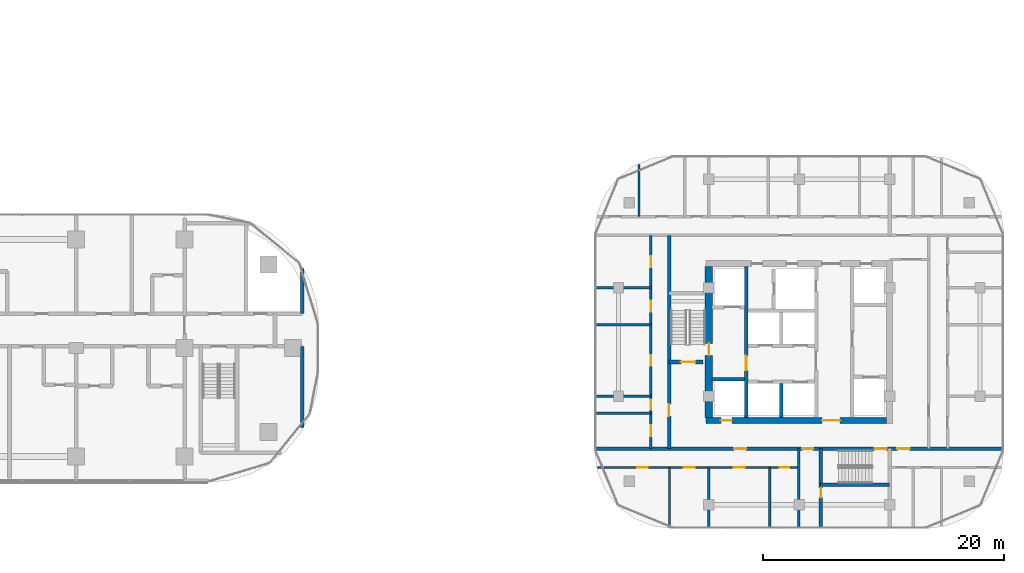
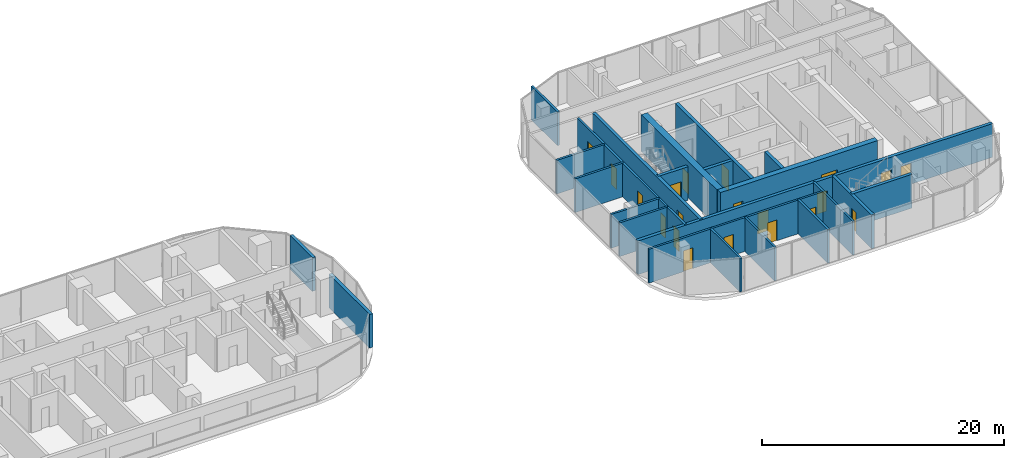
# One storey, part 21 of 32: 23 walls, 20 doors, 20 openings.
"""IFC4 building model written with IfcOpenShell, lengths in metres."""

from ifc_helpers import new_model, si_unit, direction, frame, frame_2d, origin, place, context, subcontext, project, spatial, rectangle, extrude, material, layer, layer_set, type_object, element, fill, save


model = new_model("IFC4")

# Units and contexts
model_context = context("Model", 3, precision=1e-05, world=origin(), true_north=direction((0.0, 1.0)))
body_context = subcontext(model_context, "Body", "Model", "MODEL_VIEW")
ifc_project = project(units=[si_unit("LENGTHUNIT", "METRE"), si_unit("AREAUNIT", "SQUARE_METRE"), si_unit("VOLUMEUNIT", "CUBIC_METRE"), si_unit("PLANEANGLEUNIT", "RADIAN"), si_unit("MASSUNIT", "GRAM", prefix="KILO")], contexts=[model_context])

# Site, building, storey
site_placement = place(None, origin())
site = spatial("IfcSite", under=ifc_project, at=site_placement, CompositionType="ELEMENT")
building_placement = place(site_placement, origin())
building = spatial("IfcBuilding", under=site, at=building_placement, Name="Ogive Portal Towers", CompositionType="ELEMENT")
storey_placement = place(building_placement, frame((0.0, 0.0, 59.39990234375)))
storey = spatial("IfcBuildingStorey", under=building, at=storey_placement, Name="L13", CompositionType="ELEMENT", Elevation=59.39990234375)

# Wall, opening, door
ifc_material_1 = material(Name="Concrete C60/75", Category="concrete")
ifc_layer_1 = layer(ifc_material_1, 0.300048828125)
ifc_layer_set_1 = layer_set([ifc_layer_1], Name="CORE WALL 300 C60")
wall_type_1 = type_object("IfcWallType", Name="CORE WALL 300 C60", PredefinedType="SHEAR", material=ifc_layer_set_1)
wall_1_placement = place(storey_placement, frame((132.10009765625, 24.75, 0.0), z_axis=(0.0, 0.0, 1.0), x_axis=(0.0, 1.0, 0.0)))
wall_1 = element("IfcWall", 1, at=wall_1_placement, inside=storey, type_object=wall_type_1, Name="Tower B core wall BX1 L13", PredefinedType="SHEAR", context=body_context, shape_type="SweptSolid", body=[
    extrude(rectangle(XDim=12.5, YDim=0.300048828125, at=frame_2d((6.25, 0.0))), origin(), (0.0, 0.0, 1.0), 3.7001953125),
])
opening_1_placement = place(wall_1_placement, frame((3.89990234375, 0.0, 0.0)))
opening_1 = element("IfcOpeningElement", 2, at=opening_1_placement, cuts=wall_1, Name="Opening B03-041", PredefinedType="OPENING", context=body_context, shape_type="SweptSolid", body=[
    extrude(rectangle(XDim=1.199951171875, YDim=2.10009765625, at=frame_2d((0.60009765625, 1.050048828125))), frame((0.0, 0.16015625, 0.0), z_axis=(0.0, -1.0, 0.0), x_axis=(1.0, 0.0, 0.0)), (0.0, 0.0, 1.0), 0.320068359375),
])
ifc_material_2 = material(Name="Steel fire door", Category="steel")
door_type_1 = type_object("IfcDoorType", Name="DT-SWING-1200x2100-FD90S", OperationType="SINGLE_SWING_LEFT", PredefinedType="DOOR", material=ifc_material_2)
door_1_placement = place(opening_1_placement, origin())
door_1 = element("IfcDoor", 3, at=door_1_placement, inside=storey, type_object=door_type_1, Name="Door B03-041", OperationType="SINGLE_SWING_LEFT", OverallHeight=2.10009765625, OverallWidth=1.199951171875, PredefinedType="DOOR", context=body_context, shape_type="SweptSolid", body=[
    extrude(rectangle(XDim=1.199951171875, YDim=2.10009765625, at=frame_2d((0.60009765625, 1.050048828125))), frame((0.0, 0.02490234375, 0.0), z_axis=(0.0, -1.0, 0.0), x_axis=(1.0, 0.0, 0.0)), (0.0, 0.0, 1.0), 0.050048828125),
])
fill(opening_1, door_1)

# Walls
wall_2_placement = place(storey_placement, frame((135.0, 24.75, 0.0), z_axis=(0.0, 0.0, 1.0), x_axis=(0.0, 1.0, 0.0)))
element("IfcWall", 4, at=wall_2_placement, inside=storey, type_object=wall_type_1, Name="Tower B core wall BX4 L13", PredefinedType="SHEAR", context=body_context, shape_type="SweptSolid", body=[
    extrude(rectangle(XDim=2.800048828125, YDim=0.300048828125, at=frame_2d((1.39990234375, 0.0))), origin(), (0.0, 0.0, 1.0), 3.7001953125),
])
wall_3_placement = place(storey_placement, frame((129.25, 27.89990234375, 0.0), z_axis=(0.0, 0.0, 1.0), x_axis=(1.0, 0.0, 0.0)))
element("IfcWall", 5, at=wall_3_placement, inside=storey, type_object=wall_type_1, Name="Tower B core wall BY4 L13", PredefinedType="SHEAR", context=body_context, shape_type="SweptSolid", body=[
    extrude(rectangle(XDim=2.699951171875, YDim=0.300048828125, at=frame_2d((1.35009765625, 0.0))), origin(), (0.0, 0.0, 1.0), 3.7001953125),
])

# Wall, openings, doors
ifc_layer_2 = layer(ifc_material_1, 0.5)
ifc_layer_set_2 = layer_set([ifc_layer_2], Name="CORE WALL 500 C60")
wall_type_2 = type_object("IfcWallType", Name="CORE WALL 500 C60", PredefinedType="SHEAR", material=ifc_layer_set_2)
wall_4_placement = place(storey_placement, frame((128.75, 24.5, 0.0), z_axis=(0.0, 0.0, 1.0), x_axis=(1.0, 0.0, 0.0)))
wall_4 = element("IfcWall", 6, at=wall_4_placement, inside=storey, type_object=wall_type_2, Name="Tower B core wall BS L13", PredefinedType="SHEAR", context=body_context, shape_type="SweptSolid", body=[
    extrude(rectangle(XDim=15.0, YDim=0.5, at=frame_2d((7.5, 0.0))), origin(), (0.0, 0.0, 1.0), 3.7001953125),
])
opening_2_placement = place(wall_4_placement, frame((9.64990234375, 0.0, 0.0)))
opening_2 = element("IfcOpeningElement", 7, at=opening_2_placement, cuts=wall_4, Name="Opening B03-044", PredefinedType="OPENING", context=body_context, shape_type="SweptSolid", body=[
    extrude(rectangle(XDim=1.5, YDim=2.10009765625, at=frame_2d((0.75, 1.050048828125))), frame((0.0, 0.260009765625, 0.0), z_axis=(0.0, -1.0, 0.0), x_axis=(1.0, 0.0, 0.0)), (0.0, 0.0, 1.0), 0.52001953125),
])
opening_3_placement = place(wall_4_placement, frame((1.25, 0.0, 0.0)))
opening_3 = element("IfcOpeningElement", 8, at=opening_3_placement, cuts=wall_4, Name="Opening B03-046", PredefinedType="OPENING", context=body_context, shape_type="SweptSolid", body=[
    extrude(rectangle(XDim=0.89990234375, YDim=2.10009765625, at=frame_2d((0.449951171875, 1.050048828125))), frame((0.0, 0.260009765625, 0.0), z_axis=(0.0, -1.0, 0.0), x_axis=(1.0, 0.0, 0.0)), (0.0, 0.0, 1.0), 0.52001953125),
])
door_type_2 = type_object("IfcDoorType", Name="DT-SWING-1500x2100-FD90S", OperationType="SINGLE_SWING_LEFT", PredefinedType="DOOR", material=ifc_material_2)
door_2_placement = place(opening_2_placement, origin())
door_2 = element("IfcDoor", 9, at=door_2_placement, inside=storey, type_object=door_type_2, Name="Door B03-044", OperationType="SINGLE_SWING_LEFT", OverallHeight=2.10009765625, OverallWidth=1.5, PredefinedType="DOOR", context=body_context, shape_type="SweptSolid", body=[
    extrude(rectangle(XDim=1.5, YDim=2.10009765625, at=frame_2d((0.75, 1.050048828125))), frame((0.0, 0.02490234375, 0.0), z_axis=(0.0, -1.0, 0.0), x_axis=(1.0, 0.0, 0.0)), (0.0, 0.0, 1.0), 0.050048828125),
])
fill(opening_2, door_2)
door_type_3 = type_object("IfcDoorType", Name="DT-SWING-900x2100-FD90S", OperationType="SINGLE_SWING_LEFT", PredefinedType="DOOR", material=ifc_material_2)
door_3_placement = place(opening_3_placement, origin())
door_3 = element("IfcDoor", 10, at=door_3_placement, inside=storey, type_object=door_type_3, Name="Riser access door B03-046", OperationType="SINGLE_SWING_LEFT", OverallHeight=2.10009765625, OverallWidth=0.89990234375, PredefinedType="DOOR", context=body_context, shape_type="SweptSolid", body=[
    extrude(rectangle(XDim=0.89990234375, YDim=2.10009765625, at=frame_2d((0.449951171875, 1.050048828125))), frame((0.0, 0.02490234375, 0.0), z_axis=(0.0, -1.0, 0.0), x_axis=(1.0, 0.0, 0.0)), (0.0, 0.0, 1.0), 0.050048828125),
])
fill(opening_3, door_3)

# Wall, opening, door
ifc_layer_3 = layer(ifc_material_1, 0.60009765625)
ifc_layer_set_3 = layer_set([ifc_layer_3], Name="CORE WALL 600 C60")
wall_type_3 = type_object("IfcWallType", Name="CORE WALL 600 C60", PredefinedType="SHEAR", material=ifc_layer_set_3)
wall_5_placement = place(storey_placement, frame((129.0, 24.75, 0.0), z_axis=(0.0, 0.0, 1.0), x_axis=(0.0, 1.0, 0.0)))
wall_5 = element("IfcWall", 11, at=wall_5_placement, inside=storey, type_object=wall_type_3, Name="Tower B core wall BW L13", PredefinedType="SHEAR", context=body_context, shape_type="SweptSolid", body=[
    extrude(rectangle(XDim=12.5, YDim=0.60009765625, at=frame_2d((6.25, 0.0))), origin(), (0.0, 0.0, 1.0), 3.7001953125),
])
opening_4_placement = place(wall_5_placement, frame((5.14990234375, 0.0, 0.0)))
opening_4 = element("IfcOpeningElement", 12, at=opening_4_placement, cuts=wall_5, Name="Opening B03-043", PredefinedType="OPENING", context=body_context, shape_type="SweptSolid", body=[
    extrude(rectangle(XDim=1.0, YDim=2.10009765625, at=frame_2d((0.5, 1.050048828125))), frame((0.0, 0.31005859375, 0.0), z_axis=(0.0, -1.0, 0.0), x_axis=(1.0, 0.0, 0.0)), (0.0, 0.0, 1.0), 0.6201171875),
])
door_type_4 = type_object("IfcDoorType", Name="DT-SWING-1000x2100-FD90S", OperationType="SINGLE_SWING_LEFT", PredefinedType="DOOR", material=ifc_material_2)
door_4_placement = place(opening_4_placement, origin())
door_4 = element("IfcDoor", 13, at=door_4_placement, inside=storey, type_object=door_type_4, Name="Door B03-043", OperationType="SINGLE_SWING_RIGHT", OverallHeight=2.10009765625, OverallWidth=1.0, PredefinedType="DOOR", context=body_context, shape_type="SweptSolid", body=[
    extrude(rectangle(XDim=1.0, YDim=2.10009765625, at=frame_2d((0.5, 1.050048828125))), frame((0.0, 0.02490234375, 0.0), z_axis=(0.0, -1.0, 0.0), x_axis=(1.0, 0.0, 0.0)), (0.0, 0.0, 1.0), 0.050048828125),
])
fill(opening_4, door_4)

# Wall
ifc_material_3 = material(Name="Concrete C50/60", Category="concrete")
ifc_layer_4 = layer(ifc_material_3, 0.300048828125)
ifc_layer_set_4 = layer_set([ifc_layer_4], Name="STAIR WALL 300 C50")
wall_type_4 = type_object("IfcWallType", Name="STAIR WALL 300 C50", PredefinedType="SHEAR", material=ifc_layer_set_4)
wall_6_placement = place(storey_placement, frame((138.25, 19.14990234375, 0.0), z_axis=(0.0, 0.0, 1.0), x_axis=(1.0, 0.0, 0.0)))
element("IfcWall", 14, at=wall_6_placement, inside=storey, type_object=wall_type_4, Name="Stair wall ST-B2 L13", PredefinedType="SHEAR", context=body_context, shape_type="SweptSolid", body=[
    extrude(rectangle(XDim=5.75, YDim=0.300048828125, at=frame_2d((2.875, 0.0))), origin(), (0.0, 0.0, 1.0), 3.400146484375),
])

# Wall, openings, doors
wall_7_placement = place(storey_placement, frame((119.580078125, 22.14990234375, 0.0), z_axis=(0.0, 0.0, 1.0), x_axis=(1.0, 0.0, 0.0)))
wall_7 = element("IfcWall", 15, at=wall_7_placement, inside=storey, type_object=wall_type_4, Name="Stair wall ST-B2 L13", PredefinedType="SHEAR", context=body_context, shape_type="SweptSolid", body=[
    extrude(rectangle(XDim=33.83984375, YDim=0.300048828125, at=frame_2d((16.919921875, 0.0))), origin(), (0.0, 0.0, 1.0), 3.400146484375),
])
opening_5_placement = place(wall_7_placement, frame((23.169921875, 0.0, 0.0)))
opening_5 = element("IfcOpeningElement", 16, at=opening_5_placement, cuts=wall_7, Name="Opening B03-003", PredefinedType="OPENING", context=body_context, shape_type="SweptSolid", body=[
    extrude(rectangle(XDim=1.0, YDim=2.10009765625, at=frame_2d((0.5, 1.050048828125))), frame((0.0, 0.16015625, 0.0), z_axis=(0.0, -1.0, 0.0), x_axis=(1.0, 0.0, 0.0)), (0.0, 0.0, 1.0), 0.320068359375),
])
opening_6_placement = place(wall_7_placement, frame((11.52001953125, 0.0, 0.0)))
opening_6 = element("IfcOpeningElement", 17, at=opening_6_placement, cuts=wall_7, Name="Opening B03-017", PredefinedType="OPENING", context=body_context, shape_type="SweptSolid", body=[
    extrude(rectangle(XDim=1.0, YDim=2.10009765625, at=frame_2d((0.5, 1.050048828125))), frame((0.0, 0.16015625, 0.0), z_axis=(0.0, -1.0, 0.0), x_axis=(1.0, 0.0, 0.0)), (0.0, 0.0, 1.0), 0.320068359375),
])
opening_7_placement = place(wall_7_placement, frame((25.070068359375, 0.0, 0.0)))
opening_7 = element("IfcOpeningElement", 18, at=opening_7_placement, cuts=wall_7, Name="Opening B03-022", PredefinedType="OPENING", context=body_context, shape_type="SweptSolid", body=[
    extrude(rectangle(XDim=1.0, YDim=2.10009765625, at=frame_2d((0.5, 1.050048828125))), frame((0.0, 0.16015625, 0.0), z_axis=(0.0, -1.0, 0.0), x_axis=(1.0, 0.0, 0.0)), (0.0, 0.0, 1.0), 0.320068359375),
])
opening_8_placement = place(wall_7_placement, frame((17.169921875, 0.0, 0.0)))
opening_8 = element("IfcOpeningElement", 19, at=opening_8_placement, cuts=wall_7, Name="Opening B03-026", PredefinedType="OPENING", context=body_context, shape_type="SweptSolid", body=[
    extrude(rectangle(XDim=0.89990234375, YDim=2.10009765625, at=frame_2d((0.449951171875, 1.050048828125))), frame((0.0, 0.16015625, 0.0), z_axis=(0.0, -1.0, 0.0), x_axis=(1.0, 0.0, 0.0)), (0.0, 0.0, 1.0), 0.320068359375),
])
door_5_placement = place(opening_5_placement, origin())
door_5 = element("IfcDoor", 20, at=door_5_placement, inside=storey, type_object=door_type_4, Name="Door B03-003", OperationType="SINGLE_SWING_LEFT", OverallHeight=2.10009765625, OverallWidth=1.0, PredefinedType="DOOR", context=body_context, shape_type="SweptSolid", body=[
    extrude(rectangle(XDim=1.0, YDim=2.10009765625, at=frame_2d((0.5, 1.050048828125))), frame((0.0, 0.02490234375, 0.0), z_axis=(0.0, -1.0, 0.0), x_axis=(1.0, 0.0, 0.0)), (0.0, 0.0, 1.0), 0.050048828125),
])
fill(opening_5, door_5)
door_6_placement = place(opening_6_placement, origin())
door_6 = element("IfcDoor", 21, at=door_6_placement, inside=storey, type_object=door_type_4, Name="Door B03-017", OperationType="SINGLE_SWING_LEFT", OverallHeight=2.10009765625, OverallWidth=1.0, PredefinedType="DOOR", context=body_context, shape_type="SweptSolid", body=[
    extrude(rectangle(XDim=1.0, YDim=2.10009765625, at=frame_2d((0.5, 1.050048828125))), frame((0.0, 0.02490234375, 0.0), z_axis=(0.0, -1.0, 0.0), x_axis=(1.0, 0.0, 0.0)), (0.0, 0.0, 1.0), 0.050048828125),
])
fill(opening_6, door_6)
door_7_placement = place(opening_7_placement, origin())
door_7 = element("IfcDoor", 22, at=door_7_placement, inside=storey, type_object=door_type_4, Name="Door B03-022", OperationType="SINGLE_SWING_RIGHT", OverallHeight=2.10009765625, OverallWidth=1.0, PredefinedType="DOOR", context=body_context, shape_type="SweptSolid", body=[
    extrude(rectangle(XDim=1.0, YDim=2.10009765625, at=frame_2d((0.5, 1.050048828125))), frame((0.0, 0.02490234375, 0.0), z_axis=(0.0, -1.0, 0.0), x_axis=(1.0, 0.0, 0.0)), (0.0, 0.0, 1.0), 0.050048828125),
])
fill(opening_7, door_7)
door_8_placement = place(opening_8_placement, origin())
door_8 = element("IfcDoor", 23, at=door_8_placement, inside=storey, type_object=door_type_3, Name="Door B03-026", OperationType="SINGLE_SWING_RIGHT", OverallHeight=2.10009765625, OverallWidth=0.89990234375, PredefinedType="DOOR", context=body_context, shape_type="SweptSolid", body=[
    extrude(rectangle(XDim=0.89990234375, YDim=2.10009765625, at=frame_2d((0.449951171875, 1.050048828125))), frame((0.0, 0.02490234375, 0.0), z_axis=(0.0, -1.0, 0.0), x_axis=(1.0, 0.0, 0.0)), (0.0, 0.0, 1.0), 0.050048828125),
])
fill(opening_8, door_8)

# Wall, opening, door
wall_8_placement = place(storey_placement, frame((125.699951171875, 29.35009765625, 0.0), z_axis=(0.0, 0.0, 1.0), x_axis=(1.0, 0.0, 0.0)))
wall_8 = element("IfcWall", 24, at=wall_8_placement, inside=storey, type_object=wall_type_4, Name="Stair wall ST-B1 L13", PredefinedType="SHEAR", context=body_context, shape_type="SweptSolid", body=[
    extrude(rectangle(XDim=2.830078125, YDim=0.300048828125, at=frame_2d((1.4150390625, 0.0))), origin(), (0.0, 0.0, 1.0), 3.400146484375),
])
opening_9_placement = place(wall_8_placement, frame((0.97509765625, 0.0, 0.0)))
opening_9 = element("IfcOpeningElement", 25, at=opening_9_placement, cuts=wall_8, Name="Opening B03-002", PredefinedType="OPENING", context=body_context, shape_type="SweptSolid", body=[
    extrude(rectangle(XDim=1.199951171875, YDim=2.10009765625, at=frame_2d((0.60009765625, 1.050048828125))), frame((0.0, 0.16015625, 0.0), z_axis=(0.0, -1.0, 0.0), x_axis=(1.0, 0.0, 0.0)), (0.0, 0.0, 1.0), 0.320068359375),
])
door_9_placement = place(opening_9_placement, origin())
door_9 = element("IfcDoor", 26, at=door_9_placement, inside=storey, type_object=door_type_1, Name="Door B03-002", OperationType="SINGLE_SWING_RIGHT", OverallHeight=2.10009765625, OverallWidth=1.199951171875, PredefinedType="DOOR", context=body_context, shape_type="SweptSolid", body=[
    extrude(rectangle(XDim=1.199951171875, YDim=2.10009765625, at=frame_2d((0.60009765625, 1.050048828125))), frame((0.0, 0.02490234375, 0.0), z_axis=(0.0, -1.0, 0.0), x_axis=(1.0, 0.0, 0.0)), (0.0, 0.0, 1.0), 0.050048828125),
])
fill(opening_9, door_9)

wall_9_placement = place(storey_placement, frame((125.699951171875, 22.14990234375, 0.0), z_axis=(0.0, 0.0, 1.0), x_axis=(0.0, 1.0, 0.0)))
wall_9 = element("IfcWall", 27, at=wall_9_placement, inside=storey, type_object=wall_type_4, Name="Stair wall ST-B1 L13", PredefinedType="SHEAR", context=body_context, shape_type="SweptSolid", body=[
    extrude(rectangle(XDim=17.7001953125, YDim=0.300048828125, at=frame_2d((8.85009765625, 0.0))), origin(), (0.0, 0.0, 1.0), 3.400146484375),
])
opening_10_placement = place(wall_9_placement, frame((2.699951171875, 0.0, 0.0)))
opening_10 = element("IfcOpeningElement", 28, at=opening_10_placement, cuts=wall_9, Name="Opening B03-028", PredefinedType="OPENING", context=body_context, shape_type="SweptSolid", body=[
    extrude(rectangle(XDim=1.0, YDim=2.10009765625, at=frame_2d((0.5, 1.050048828125))), frame((0.0, 0.16015625, 0.0), z_axis=(0.0, -1.0, 0.0), x_axis=(1.0, 0.0, 0.0)), (0.0, 0.0, 1.0), 0.320068359375),
])
door_10_placement = place(opening_10_placement, origin())
door_10 = element("IfcDoor", 29, at=door_10_placement, inside=storey, type_object=door_type_4, Name="Door B03-028", OperationType="SINGLE_SWING_RIGHT", OverallHeight=2.10009765625, OverallWidth=1.0, PredefinedType="DOOR", context=body_context, shape_type="SweptSolid", body=[
    extrude(rectangle(XDim=1.0, YDim=2.10009765625, at=frame_2d((0.5, 1.050048828125))), frame((0.0, 0.02490234375, 0.0), z_axis=(0.0, -1.0, 0.0), x_axis=(1.0, 0.0, 0.0)), (0.0, 0.0, 1.0), 0.050048828125),
])
fill(opening_10, door_10)

wall_10_placement = place(storey_placement, frame((138.300048828125, 15.580078125, 0.0), z_axis=(0.0, 0.0, 1.0), x_axis=(0.0, 1.0, 0.0)))
wall_10 = element("IfcWall", 30, at=wall_10_placement, inside=storey, type_object=wall_type_4, Name="Stair wall ST-B2 L13", PredefinedType="SHEAR", context=body_context, shape_type="SweptSolid", body=[
    extrude(rectangle(XDim=6.56982421875, YDim=0.300048828125, at=frame_2d((3.284912109375, 0.0))), origin(), (0.0, 0.0, 1.0), 3.400146484375),
])
opening_11_placement = place(wall_10_placement, frame((2.52001953125, 0.0, 0.0)))
opening_11 = element("IfcOpeningElement", 31, at=opening_11_placement, cuts=wall_10, Name="Opening B03-027", PredefinedType="OPENING", context=body_context, shape_type="SweptSolid", body=[
    extrude(rectangle(XDim=0.800048828125, YDim=2.10009765625, at=frame_2d((0.39990234375, 1.050048828125))), frame((0.0, 0.16015625, 0.0), z_axis=(0.0, -1.0, 0.0), x_axis=(1.0, 0.0, 0.0)), (0.0, 0.0, 1.0), 0.320068359375),
])
door_type_5 = type_object("IfcDoorType", Name="DT-SWING-800x2100-FD90S", OperationType="SINGLE_SWING_LEFT", PredefinedType="DOOR", material=ifc_material_2)
door_11_placement = place(opening_11_placement, origin())
door_11 = element("IfcDoor", 32, at=door_11_placement, inside=storey, type_object=door_type_5, Name="Door B03-027", OperationType="SINGLE_SWING_LEFT", OverallHeight=2.10009765625, OverallWidth=0.800048828125, PredefinedType="DOOR", context=body_context, shape_type="SweptSolid", body=[
    extrude(rectangle(XDim=0.800048828125, YDim=2.10009765625, at=frame_2d((0.39990234375, 1.050048828125))), frame((0.0, 0.02490234375, 0.0), z_axis=(0.0, -1.0, 0.0), x_axis=(1.0, 0.0, 0.0)), (0.0, 0.0, 1.0), 0.050048828125),
])
fill(opening_11, door_11)

# Wall, openings, doors
ifc_material_4 = material(Name="Gypsum board partition on steel studs", Category="steel")
ifc_layer_5 = layer(ifc_material_4, 0.199951171875)
ifc_layer_set_5 = layer_set([ifc_layer_5], Name="WT-PART-200-EI 60")
wall_type_5 = type_object("IfcWallType", Name="WT-PART-200-EI 60", PredefinedType="PARTITIONING", material=ifc_layer_set_5)
wall_11_placement = place(storey_placement, frame((119.76611328125, 20.590087890625, 0.0), z_axis=(0.0, 0.0, 1.0), x_axis=(1.0, 0.0, 0.0)))
wall_11 = element("IfcWall", 33, at=wall_11_placement, inside=storey, type_object=wall_type_5, Name="Wall L13:w002", PredefinedType="PARTITIONING", context=body_context, shape_type="SweptSolid", body=[
    extrude(rectangle(XDim=16.73388671875, YDim=0.199951171875, at=frame_2d((8.366943359375, 0.0))), origin(), (0.0, 0.0, 1.0), 3.400146484375),
])
opening_12_placement = place(wall_11_placement, frame((3.281982421875, 0.0, 0.0)))
opening_12 = element("IfcOpeningElement", 34, at=opening_12_placement, cuts=wall_11, Name="Opening B03-018", PredefinedType="OPENING", context=body_context, shape_type="SweptSolid", body=[
    extrude(rectangle(XDim=0.89990234375, YDim=2.10009765625, at=frame_2d((0.449951171875, 1.050048828125))), frame((0.0, 0.10986328125, 0.0), z_axis=(0.0, -1.0, 0.0), x_axis=(1.0, 0.0, 0.0)), (0.0, 0.0, 1.0), 0.219970703125),
])
opening_13_placement = place(wall_11_placement, frame((7.152099609375, 0.0, 0.0)))
opening_13 = element("IfcOpeningElement", 35, at=opening_13_placement, cuts=wall_11, Name="Opening B03-019", PredefinedType="OPENING", context=body_context, shape_type="SweptSolid", body=[
    extrude(rectangle(XDim=0.89990234375, YDim=2.10009765625, at=frame_2d((0.449951171875, 1.050048828125))), frame((0.0, 0.10986328125, 0.0), z_axis=(0.0, -1.0, 0.0), x_axis=(1.0, 0.0, 0.0)), (0.0, 0.0, 1.0), 0.219970703125),
])
opening_14_placement = place(wall_11_placement, frame((11.318115234375, 0.0, 0.0)))
opening_14 = element("IfcOpeningElement", 36, at=opening_14_placement, cuts=wall_11, Name="Opening B03-020", PredefinedType="OPENING", context=body_context, shape_type="SweptSolid", body=[
    extrude(rectangle(XDim=0.89990234375, YDim=2.10009765625, at=frame_2d((0.449951171875, 1.050048828125))), frame((0.0, 0.10986328125, 0.0), z_axis=(0.0, -1.0, 0.0), x_axis=(1.0, 0.0, 0.0)), (0.0, 0.0, 1.0), 0.219970703125),
])
opening_15_placement = place(wall_11_placement, frame((15.117919921875, 0.0, 0.0)))
opening_15 = element("IfcOpeningElement", 37, at=opening_15_placement, cuts=wall_11, Name="Opening B03-021", PredefinedType="OPENING", context=body_context, shape_type="SweptSolid", body=[
    extrude(rectangle(XDim=0.800048828125, YDim=2.10009765625, at=frame_2d((0.39990234375, 1.050048828125))), frame((0.0, 0.10986328125, 0.0), z_axis=(0.0, -1.0, 0.0), x_axis=(1.0, 0.0, 0.0)), (0.0, 0.0, 1.0), 0.219970703125),
])
door_type_6 = type_object("IfcDoorType", Name="DT-SWING-800x2100-FD60S", OperationType="SINGLE_SWING_LEFT", PredefinedType="DOOR", material=ifc_material_2)
door_12_placement = place(opening_15_placement, origin())
door_12 = element("IfcDoor", 38, at=door_12_placement, inside=storey, type_object=door_type_6, Name="Door B03-021", OperationType="SINGLE_SWING_LEFT", OverallHeight=2.10009765625, OverallWidth=0.800048828125, PredefinedType="DOOR", context=body_context, shape_type="SweptSolid", body=[
    extrude(rectangle(XDim=0.800048828125, YDim=2.10009765625, at=frame_2d((0.39990234375, 1.050048828125))), frame((0.0, 0.02490234375, 0.0), z_axis=(0.0, -1.0, 0.0), x_axis=(1.0, 0.0, 0.0)), (0.0, 0.0, 1.0), 0.050048828125),
])
fill(opening_15, door_12)
door_type_7 = type_object("IfcDoorType", Name="DT-SWING-900x2100-FD60S", OperationType="SINGLE_SWING_LEFT", PredefinedType="DOOR", material=ifc_material_2)
door_13_placement = place(opening_12_placement, origin())
door_13 = element("IfcDoor", 39, at=door_13_placement, inside=storey, type_object=door_type_7, Name="Door B03-018", OperationType="SINGLE_SWING_RIGHT", OverallHeight=2.10009765625, OverallWidth=0.89990234375, PredefinedType="DOOR", context=body_context, shape_type="SweptSolid", body=[
    extrude(rectangle(XDim=0.89990234375, YDim=2.10009765625, at=frame_2d((0.449951171875, 1.050048828125))), frame((0.0, 0.02490234375, 0.0), z_axis=(0.0, -1.0, 0.0), x_axis=(1.0, 0.0, 0.0)), (0.0, 0.0, 1.0), 0.050048828125),
])
fill(opening_12, door_13)
door_14_placement = place(opening_13_placement, origin())
door_14 = element("IfcDoor", 40, at=door_14_placement, inside=storey, type_object=door_type_7, Name="Door B03-019", OperationType="SINGLE_SWING_LEFT", OverallHeight=2.10009765625, OverallWidth=0.89990234375, PredefinedType="DOOR", context=body_context, shape_type="SweptSolid", body=[
    extrude(rectangle(XDim=0.89990234375, YDim=2.10009765625, at=frame_2d((0.449951171875, 1.050048828125))), frame((0.0, 0.02490234375, 0.0), z_axis=(0.0, -1.0, 0.0), x_axis=(1.0, 0.0, 0.0)), (0.0, 0.0, 1.0), 0.050048828125),
])
fill(opening_13, door_14)
door_15_placement = place(opening_14_placement, origin())
door_15 = element("IfcDoor", 41, at=door_15_placement, inside=storey, type_object=door_type_7, Name="Door B03-020", OperationType="SINGLE_SWING_RIGHT", OverallHeight=2.10009765625, OverallWidth=0.89990234375, PredefinedType="DOOR", context=body_context, shape_type="SweptSolid", body=[
    extrude(rectangle(XDim=0.89990234375, YDim=2.10009765625, at=frame_2d((0.449951171875, 1.050048828125))), frame((0.0, 0.02490234375, 0.0), z_axis=(0.0, -1.0, 0.0), x_axis=(1.0, 0.0, 0.0)), (0.0, 0.0, 1.0), 0.050048828125),
])
fill(opening_14, door_15)

# Walls
for number, where, z_axis, x_axis, name in (
    (42, (119.580078125, 25.10595703125, 0.0), (0.0, 0.0, 1.0), (1.0, 0.0, 0.0), "Wall L13:w007"),
    (43, (119.580078125, 26.5, 0.0), (0.0, 0.0, 1.0), (1.0, 0.0, 0.0), "Wall L13:w008"),
    (44, (119.580078125, 32.43310546875, 0.0), (0.0, 0.0, 1.0), (1.0, 0.0, 0.0), "Wall L13:w011"),
    (45, (119.580078125, 35.5, 0.0), (0.0, 0.0, 1.0), (1.0, 0.0, 0.0), "Wall L13:w014"),
):
    element("IfcWall", number, at=place(storey_placement, frame(where, z_axis=z_axis, x_axis=x_axis)), inside=storey, type_object=wall_type_5, Name=name, PredefinedType="PARTITIONING", context=body_context, shape_type="SweptSolid", body=[
        extrude(rectangle(XDim=4.60986328125, YDim=0.199951171875, at=frame_2d((2.304931640625, 0.0))), origin(), (0.0, 0.0, 1.0), 3.400146484375),
    ])
wall_12_placement = place(storey_placement, frame((123.2060546875, 41.409912109375, 0.0), z_axis=(0.0, 0.0, 1.0), x_axis=(0.0, 1.0, 0.0)))
element("IfcWall", 46, at=wall_12_placement, inside=storey, type_object=wall_type_5, Name="Wall L13:w021", PredefinedType="PARTITIONING", context=body_context, shape_type="SweptSolid", body=[
    extrude(rectangle(XDim=4.322021484375, YDim=0.199951171875, at=frame_2d((2.1611328125, 0.0))), origin(), (0.0, 0.0, 1.0), 3.400146484375),
])

# Wall, openings, doors
wall_13_placement = place(storey_placement, frame((124.18994140625, 22.14990234375, 0.0), z_axis=(0.0, 0.0, 1.0), x_axis=(0.0, 1.0, 0.0)))
wall_13 = element("IfcWall", 47, at=wall_13_placement, inside=storey, type_object=wall_type_5, Name="Wall L13:w022", PredefinedType="PARTITIONING", context=body_context, shape_type="SweptSolid", body=[
    extrude(rectangle(XDim=17.7001953125, YDim=0.199951171875, at=frame_2d((8.85009765625, 0.0))), origin(), (0.0, 0.0, 1.0), 3.400146484375),
])
opening_16_placement = place(wall_13_placement, frame((1.028076171875, 0.0, 0.0)))
opening_16 = element("IfcOpeningElement", 48, at=opening_16_placement, cuts=wall_13, Name="Opening B03-029", PredefinedType="OPENING", context=body_context, shape_type="SweptSolid", body=[
    extrude(rectangle(XDim=0.89990234375, YDim=2.10009765625, at=frame_2d((0.449951171875, 1.050048828125))), frame((0.0, 0.10986328125, 0.0), z_axis=(0.0, -1.0, 0.0), x_axis=(1.0, 0.0, 0.0)), (0.0, 0.0, 1.0), 0.219970703125),
])
opening_17_placement = place(wall_13_placement, frame((3.2529296875, 0.0, 0.0)))
opening_17 = element("IfcOpeningElement", 49, at=opening_17_placement, cuts=wall_13, Name="Opening B03-030", PredefinedType="OPENING", context=body_context, shape_type="SweptSolid", body=[
    extrude(rectangle(XDim=0.800048828125, YDim=2.10009765625, at=frame_2d((0.39990234375, 1.050048828125))), frame((0.0, 0.10986328125, 0.0), z_axis=(0.0, -1.0, 0.0), x_axis=(1.0, 0.0, 0.0)), (0.0, 0.0, 1.0), 0.219970703125),
])
opening_18_placement = place(wall_13_placement, frame((6.866943359375, 0.0, 0.0)))
opening_18 = element("IfcOpeningElement", 50, at=opening_18_placement, cuts=wall_13, Name="Opening B03-031", PredefinedType="OPENING", context=body_context, shape_type="SweptSolid", body=[
    extrude(rectangle(XDim=0.89990234375, YDim=2.10009765625, at=frame_2d((0.449951171875, 1.050048828125))), frame((0.0, 0.10986328125, 0.0), z_axis=(0.0, -1.0, 0.0), x_axis=(1.0, 0.0, 0.0)), (0.0, 0.0, 1.0), 0.219970703125),
])
opening_19_placement = place(wall_13_placement, frame((11.366943359375, 0.0, 0.0)))
opening_19 = element("IfcOpeningElement", 51, at=opening_19_placement, cuts=wall_13, Name="Opening B03-032", PredefinedType="OPENING", context=body_context, shape_type="SweptSolid", body=[
    extrude(rectangle(XDim=0.89990234375, YDim=2.10009765625, at=frame_2d((0.449951171875, 1.050048828125))), frame((0.0, 0.10986328125, 0.0), z_axis=(0.0, -1.0, 0.0), x_axis=(1.0, 0.0, 0.0)), (0.0, 0.0, 1.0), 0.219970703125),
])
opening_20_placement = place(wall_13_placement, frame((15.074951171875, 0.0, 0.0)))
opening_20 = element("IfcOpeningElement", 52, at=opening_20_placement, cuts=wall_13, Name="Opening B03-033", PredefinedType="OPENING", context=body_context, shape_type="SweptSolid", body=[
    extrude(rectangle(XDim=0.89990234375, YDim=2.10009765625, at=frame_2d((0.449951171875, 1.050048828125))), frame((0.0, 0.10986328125, 0.0), z_axis=(0.0, -1.0, 0.0), x_axis=(1.0, 0.0, 0.0)), (0.0, 0.0, 1.0), 0.219970703125),
])
door_16_placement = place(opening_17_placement, origin())
door_16 = element("IfcDoor", 53, at=door_16_placement, inside=storey, type_object=door_type_6, Name="Door B03-030", OperationType="SINGLE_SWING_RIGHT", OverallHeight=2.10009765625, OverallWidth=0.800048828125, PredefinedType="DOOR", context=body_context, shape_type="SweptSolid", body=[
    extrude(rectangle(XDim=0.800048828125, YDim=2.10009765625, at=frame_2d((0.39990234375, 1.050048828125))), frame((0.0, 0.02490234375, 0.0), z_axis=(0.0, -1.0, 0.0), x_axis=(1.0, 0.0, 0.0)), (0.0, 0.0, 1.0), 0.050048828125),
])
fill(opening_17, door_16)
door_17_placement = place(opening_16_placement, origin())
door_17 = element("IfcDoor", 54, at=door_17_placement, inside=storey, type_object=door_type_7, Name="Door B03-029", OperationType="SINGLE_SWING_LEFT", OverallHeight=2.10009765625, OverallWidth=0.89990234375, PredefinedType="DOOR", context=body_context, shape_type="SweptSolid", body=[
    extrude(rectangle(XDim=0.89990234375, YDim=2.10009765625, at=frame_2d((0.449951171875, 1.050048828125))), frame((0.0, 0.02490234375, 0.0), z_axis=(0.0, -1.0, 0.0), x_axis=(1.0, 0.0, 0.0)), (0.0, 0.0, 1.0), 0.050048828125),
])
fill(opening_16, door_17)
door_18_placement = place(opening_18_placement, origin())
door_18 = element("IfcDoor", 55, at=door_18_placement, inside=storey, type_object=door_type_7, Name="Door B03-031", OperationType="SINGLE_SWING_LEFT", OverallHeight=2.10009765625, OverallWidth=0.89990234375, PredefinedType="DOOR", context=body_context, shape_type="SweptSolid", body=[
    extrude(rectangle(XDim=0.89990234375, YDim=2.10009765625, at=frame_2d((0.449951171875, 1.050048828125))), frame((0.0, 0.02490234375, 0.0), z_axis=(0.0, -1.0, 0.0), x_axis=(1.0, 0.0, 0.0)), (0.0, 0.0, 1.0), 0.050048828125),
])
fill(opening_18, door_18)
door_19_placement = place(opening_19_placement, origin())
door_19 = element("IfcDoor", 56, at=door_19_placement, inside=storey, type_object=door_type_7, Name="Door B03-032", OperationType="SINGLE_SWING_RIGHT", OverallHeight=2.10009765625, OverallWidth=0.89990234375, PredefinedType="DOOR", context=body_context, shape_type="SweptSolid", body=[
    extrude(rectangle(XDim=0.89990234375, YDim=2.10009765625, at=frame_2d((0.449951171875, 1.050048828125))), frame((0.0, 0.02490234375, 0.0), z_axis=(0.0, -1.0, 0.0), x_axis=(1.0, 0.0, 0.0)), (0.0, 0.0, 1.0), 0.050048828125),
])
fill(opening_19, door_19)
door_20_placement = place(opening_20_placement, origin())
door_20 = element("IfcDoor", 57, at=door_20_placement, inside=storey, type_object=door_type_7, Name="Door B03-033", OperationType="SINGLE_SWING_LEFT", OverallHeight=2.10009765625, OverallWidth=0.89990234375, PredefinedType="DOOR", context=body_context, shape_type="SweptSolid", body=[
    extrude(rectangle(XDim=0.89990234375, YDim=2.10009765625, at=frame_2d((0.449951171875, 1.050048828125))), frame((0.0, 0.02490234375, 0.0), z_axis=(0.0, -1.0, 0.0), x_axis=(1.0, 0.0, 0.0)), (0.0, 0.0, 1.0), 0.050048828125),
])
fill(opening_20, door_20)

# Walls
wall_14_placement = place(storey_placement, frame((125.737060546875, 15.614990234375, 0.0), z_axis=(0.0, 0.0, 1.0), x_axis=(0.0, 1.0, 0.0)))
element("IfcWall", 58, at=wall_14_placement, inside=storey, type_object=wall_type_5, Name="Wall L13:w024", PredefinedType="PARTITIONING", context=body_context, shape_type="SweptSolid", body=[
    extrude(rectangle(XDim=4.97509765625, YDim=0.199951171875, at=frame_2d((2.487548828125, 0.0))), origin(), (0.0, 0.0, 1.0), 3.400146484375),
])
for number, where, z_axis, x_axis, name in (
    (59, (129.0, 15.580078125, 0.0), (0.0, 0.0, 1.0), (0.0, 1.0, 0.0), "Wall L13:w028"),
    (60, (134.069091796875, 15.580078125, 0.0), (0.0, 0.0, 1.0), (0.0, 1.0, 0.0), "Wall L13:w031"),
):
    element("IfcWall", number, at=place(storey_placement, frame(where, z_axis=z_axis, x_axis=x_axis)), inside=storey, type_object=wall_type_5, Name=name, PredefinedType="PARTITIONING", context=body_context, shape_type="SweptSolid", body=[
        extrude(rectangle(XDim=5.010009765625, YDim=0.199951171875, at=frame_2d((2.5048828125, 0.0))), origin(), (0.0, 0.0, 1.0), 3.400146484375),
    ])
wall_15_placement = place(storey_placement, frame((136.449951171875, 15.580078125, 0.0), z_axis=(0.0, 0.0, 1.0), x_axis=(0.0, 1.0, 0.0)))
element("IfcWall", 61, at=wall_15_placement, inside=storey, type_object=wall_type_5, Name="Wall L13:w033", PredefinedType="PARTITIONING", context=body_context, shape_type="SweptSolid", body=[
    extrude(rectangle(XDim=6.56982421875, YDim=0.199951171875, at=frame_2d((3.284912109375, 0.0))), origin(), (0.0, 0.0, 1.0), 3.400146484375),
])
ifc_layer_6 = layer(ifc_material_4, 0.300048828125)
ifc_layer_set_6 = layer_set([ifc_layer_6], Name="WT-PART-300-EI 60")
wall_type_6 = type_object("IfcWallType", Name="WT-PART-300-EI 60", PredefinedType="PARTITIONING", material=ifc_layer_set_6)
wall_16_placement = place(storey_placement, frame((95.25, 23.9150390625, 0.0), z_axis=(0.0, 0.0, 1.0), x_axis=(0.0, 1.0, 0.0)))
element("IfcWall", 62, at=wall_16_placement, inside=storey, type_object=wall_type_6, Name="Wall L13:w064", PredefinedType="PARTITIONING", context=body_context, shape_type="SweptSolid", body=[
    extrude(rectangle(XDim=6.73486328125, YDim=0.300048828125, at=frame_2d((3.367431640625, 0.0))), origin(), (0.0, 0.0, 1.0), 3.400146484375),
])
wall_17_placement = place(storey_placement, frame((95.25, 33.35009765625, 0.0), z_axis=(0.0, 0.0, 1.0), x_axis=(0.0, 1.0, 0.0)))
element("IfcWall", 63, at=wall_17_placement, inside=storey, type_object=wall_type_6, Name="Wall L13:w065", PredefinedType="PARTITIONING", context=body_context, shape_type="SweptSolid", body=[
    extrude(rectangle(XDim=3.73486328125, YDim=0.300048828125, at=frame_2d((1.867431640625, 0.0))), origin(), (0.0, 0.0, 1.0), 3.400146484375),
])

save(model, "model.ifc")
